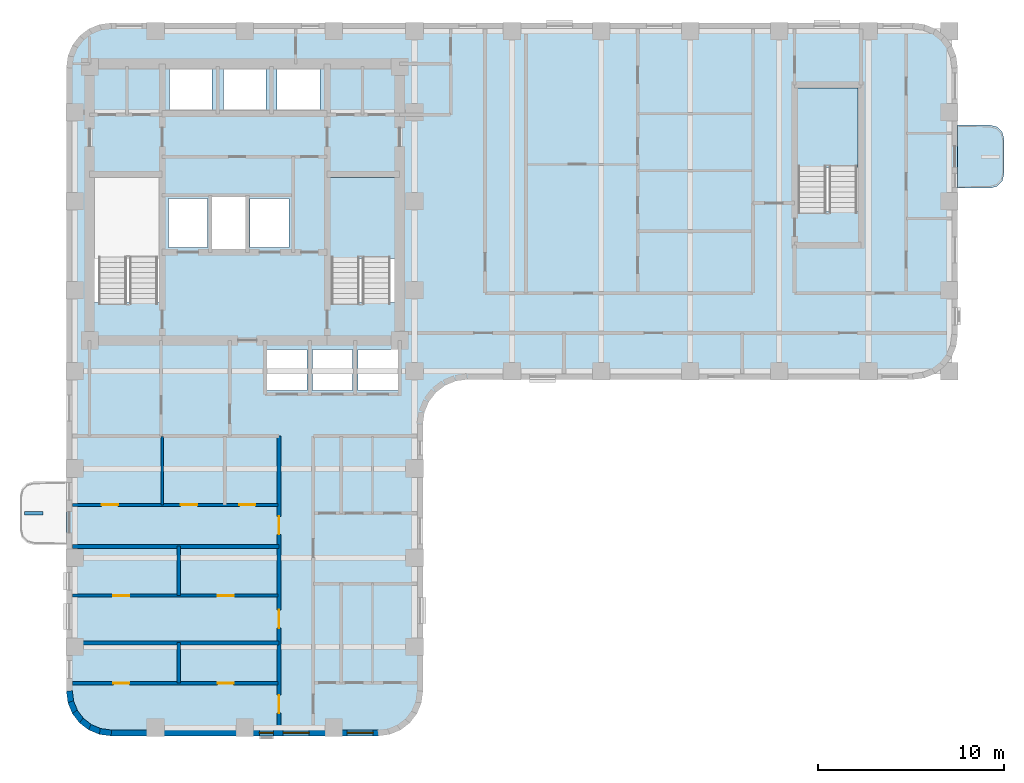
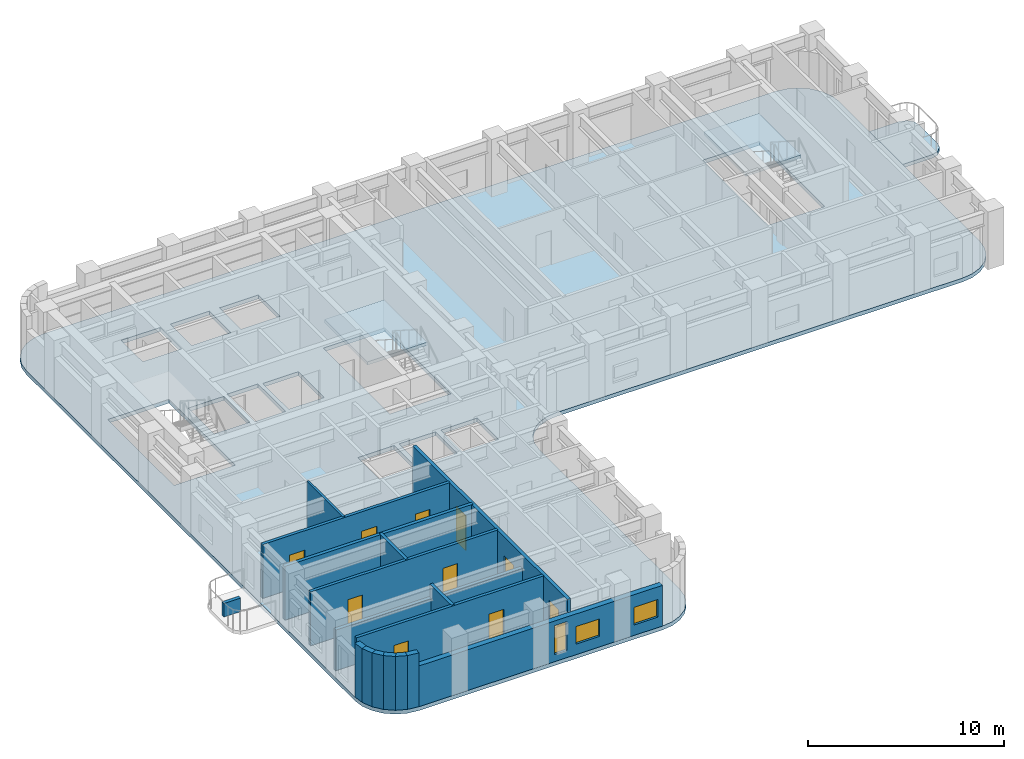
# One storey, part 2 of 10: 17 walls, 10 doors, 4 slabs, 3 windows, 13 openings, 2 elements without a shape of their own.
"""IFC4 building model written with IfcOpenShell, lengths in metres."""

from ifc_helpers import new_model, si_unit, direction, frame, frame_2d, origin, place, context, subcontext, project, spatial, polyline, rectangle, outline, extrude, material, layer, layer_set, type_object, element, fill, aggregate, save


model = new_model("IFC4")

# Units and contexts
model_context = context("Model", 3, precision=1e-05, world=origin(), true_north=direction((0.0, 1.0)))
body_context = subcontext(model_context, "Body", "Model", "MODEL_VIEW")
ifc_project = project(units=[si_unit("LENGTHUNIT", "METRE"), si_unit("AREAUNIT", "SQUARE_METRE"), si_unit("VOLUMEUNIT", "CUBIC_METRE"), si_unit("PLANEANGLEUNIT", "RADIAN"), si_unit("MASSUNIT", "GRAM", prefix="KILO")], contexts=[model_context])

# Site, building, storey
site_placement = place(None, origin())
site = spatial("IfcSite", under=ifc_project, at=site_placement, CompositionType="ELEMENT")
building_placement = place(site_placement, origin())
building = spatial("IfcBuilding", under=site, at=building_placement, Name="Orvandelia Arch Residences", CompositionType="ELEMENT")
storey_placement = place(building_placement, frame((0.0, 0.0, 136.0)))
storey = spatial("IfcBuildingStorey", under=building, at=storey_placement, Name="L35", CompositionType="ELEMENT", Elevation=136.0)

# Slab
ifc_material_1 = material(Name="Precast concrete C40/50", Category="concrete")
ifc_layer_1 = layer(ifc_material_1, 0.219970703125, Name="Precast concrete C40/50", Category="concrete")
ifc_layer_set_1 = layer_set([ifc_layer_1], Name="Precast concrete C40/50")
slab_type_1 = type_object("IfcSlabType", Name="SLB-BAL-220", PredefinedType="USERDEFINED", material=ifc_layer_set_1)
slab_1_placement = place(storey_placement, frame((0.0, 0.0, -0.219970703125)))
element("IfcSlab", 1, at=slab_1_placement, inside=storey, type_object=slab_type_1, Name="Tree Balcony Cantilever Slab BAL-L35-E1", ObjectType="BALCONY", PredefinedType="USERDEFINED", context=body_context, shape_type="SweptSolid", body=[
    extrude(outline(polyline([(52.800048828125, 42.5), (52.800048828125, 39.10009765625), (54.550048828125, 39.10009765625), (54.925048828125, 39.200439453125), (55.199462890625, 39.47509765625), (55.300048828125, 39.85009765625), (55.300048828125, 41.75), (55.199462890625, 42.125), (54.925048828125, 42.3994140625), (54.550048828125, 42.5), (52.800048828125, 42.5)])), origin(), (0.0, 0.0, 1.0), 0.219970703125),
])

# Stair, slab
ifc_material_2 = material(Name="Concrete C40/50", Category="concrete")
stair_type = type_object("IfcStairType", Name="STAIR-RC-DOGLEG", PredefinedType="HALF_TURN_STAIR", material=ifc_material_2)
stair_1_placement = place(storey_placement, origin())
stair_1 = element("IfcStair", 2, at=stair_1_placement, inside=storey, type_object=stair_type, Name="L35 Protected Exit Stair ST-2", PredefinedType="HALF_TURN_STAIR")
ifc_layer_2 = layer(ifc_material_2, 0.219970703125, Name="Concrete C40/50", Category="concrete")
ifc_layer_set_2 = layer_set([ifc_layer_2], Name="Concrete C40/50")
slab_type_2 = type_object("IfcSlabType", Name="SLB-LANDING-220", PredefinedType="LANDING", material=ifc_layer_set_2)
slab_2_placement = place(storey_placement, frame((0.0, 0.0, 1.60009765625)))
slab_2 = element("IfcSlab", 3, at=slab_2_placement, type_object=slab_type_2, Name="ST-2 landing 1", PredefinedType="LANDING", context=body_context, shape_type="SweptSolid", body=[
    extrude(outline(polyline([(22.5400390625, 35.31005859375), (22.5400390625, 39.68994140625), (19.0, 39.68994140625), (19.0, 35.31005859375), (22.5400390625, 35.31005859375)])), origin(), (0.0, 0.0, 1.0), 0.199951171875),
])
aggregate(stair_1, [slab_2])

stair_2_placement = place(storey_placement, origin())
stair_2 = element("IfcStair", 4, at=stair_2_placement, inside=storey, type_object=stair_type, Name="L35 East Wing Exit Stair ST-3", PredefinedType="HALF_TURN_STAIR")
slab_3_placement = place(storey_placement, frame((0.0, 0.0, 1.60009765625)))
slab_3 = element("IfcSlab", 5, at=slab_3_placement, type_object=slab_type_2, Name="ST-3 landing 1", PredefinedType="LANDING", context=body_context, shape_type="SweptSolid", body=[
    extrude(outline(polyline([(47.43994140625, 40.2099609375), (47.43994140625, 44.5), (44.179931640625, 44.5), (44.179931640625, 40.2099609375), (47.43994140625, 40.2099609375)])), origin(), (0.0, 0.0, 1.0), 0.199951171875),
])
aggregate(stair_2, [slab_3])

# Slab
ifc_layer_3 = layer(ifc_material_2, 0.239990234375, Name="Concrete C40/50", Category="concrete")
ifc_layer_set_3 = layer_set([ifc_layer_3], Name="Concrete C40/50")
slab_type_3 = type_object("IfcSlabType", Name="SLB-TWR-240", PredefinedType="FLOOR", material=ifc_layer_set_3)
slab_4_placement = place(storey_placement, frame((0.0, 0.0, -0.239990234375)))
element("IfcSlab", 6, at=slab_4_placement, inside=storey, type_object=slab_type_3, Name="Structural Floor Slab L35-1", PredefinedType="FLOOR", context=body_context, shape_type="SweptSolid", body=[
    extrude(outline(polyline([(4.800048828125, 12.0), (4.8818359375, 11.37890625), (5.12158203125, 10.800048828125), (5.5029296875, 10.302978515625), (6.0, 9.92138671875), (6.578857421875, 9.681884765625), (7.199951171875, 9.60009765625), (21.60009765625, 9.60009765625), (22.22119140625, 9.681884765625), (22.800048828125, 9.92138671875), (23.297119140625, 10.302978515625), (23.678466796875, 10.800048828125), (23.918212890625, 11.37890625), (24.0, 12.0), (24.0, 26.39990234375), (24.081787109375, 27.021240234375), (24.321533203125, 27.60009765625), (24.702880859375, 28.09716796875), (25.199951171875, 28.478515625), (25.77880859375, 28.71826171875), (26.39990234375, 28.800048828125), (50.39990234375, 28.800048828125), (51.021240234375, 28.8818359375), (51.60009765625, 29.12158203125), (52.09716796875, 29.5029296875), (52.478515625, 30.0), (52.71826171875, 30.578857421875), (52.800048828125, 31.199951171875), (52.800048828125, 45.60009765625), (52.71826171875, 46.22119140625), (52.478515625, 46.800048828125), (52.09716796875, 47.297119140625), (51.60009765625, 47.678466796875), (51.021240234375, 47.918212890625), (50.39990234375, 48.0), (7.199951171875, 48.0), (6.578857421875, 47.918212890625), (6.0, 47.678466796875), (5.5029296875, 47.297119140625), (5.12158203125, 46.800048828125), (4.8818359375, 46.22119140625), (4.800048828125, 45.60009765625), (4.800048828125, 12.0)]), holes=[polyline([(6.219970703125, 32.949951171875), (9.840087890625, 32.949951171875), (9.840087890625, 39.72998046875), (6.219970703125, 39.72998046875), (6.219970703125, 32.949951171875)]), polyline([(18.9599609375, 32.949951171875), (22.580078125, 32.949951171875), (22.580078125, 39.72998046875), (18.9599609375, 39.72998046875), (18.9599609375, 32.949951171875)]), polyline([(44.139892578125, 37.85009765625), (47.47998046875, 37.85009765625), (47.47998046875, 44.5400390625), (44.139892578125, 44.5400390625), (44.139892578125, 37.85009765625)]), polyline([(12.639892578125, 35.81005859375), (14.4599609375, 35.81005859375), (14.4599609375, 38.639892578125), (12.639892578125, 38.639892578125), (12.639892578125, 35.81005859375)]), polyline([(10.300048828125, 35.89990234375), (12.39990234375, 35.89990234375), (12.39990234375, 38.550048828125), (10.300048828125, 38.550048828125), (10.300048828125, 35.89990234375)]), polyline([(14.699951171875, 35.89990234375), (16.800048828125, 35.89990234375), (16.800048828125, 38.550048828125), (14.699951171875, 38.550048828125), (14.699951171875, 35.89990234375)]), polyline([(10.35009765625, 43.300048828125), (12.64990234375, 43.300048828125), (12.64990234375, 45.5), (10.35009765625, 45.5), (10.35009765625, 43.300048828125)]), polyline([(13.25, 43.300048828125), (15.550048828125, 43.300048828125), (15.550048828125, 45.5), (13.25, 45.5), (13.25, 43.300048828125)]), polyline([(16.14990234375, 43.300048828125), (18.449951171875, 43.300048828125), (18.449951171875, 45.5), (16.14990234375, 45.5), (16.14990234375, 43.300048828125)]), polyline([(15.60009765625, 28.199951171875), (17.75, 28.199951171875), (17.75, 30.39990234375), (15.60009765625, 30.39990234375), (15.60009765625, 28.199951171875)]), polyline([(18.050048828125, 28.199951171875), (20.199951171875, 28.199951171875), (20.199951171875, 30.39990234375), (18.050048828125, 30.39990234375), (18.050048828125, 28.199951171875)]), polyline([(20.5, 28.199951171875), (22.64990234375, 28.199951171875), (22.64990234375, 30.39990234375), (20.5, 30.39990234375), (20.5, 28.199951171875)])]), origin(), (0.0, 0.0, 1.0), 0.239990234375),
])

# Wall, openings, doors
ifc_material_3 = material(Name="Fire-Rated Corridor Partition")
ifc_layer_4 = layer(ifc_material_3, 0.199951171875, Name="Fire-Rated Corridor Partition")
ifc_layer_set_4 = layer_set([ifc_layer_4], Name="Fire-Rated Corridor Partition")
wall_type_1 = type_object("IfcWallType", Name="WL-CORR-200", PredefinedType="PARTITIONING", material=ifc_layer_set_4)
wall_1_placement = place(storey_placement, frame((16.25, 9.919921875, 0.0), z_axis=(0.0, 0.0, 1.0), x_axis=(0.0, 1.0, 0.0)))
wall_1 = element("IfcWall", 7, at=wall_1_placement, inside=storey, type_object=wall_type_1, Name="Interior Partition Wall WL-L35-WC-W", PredefinedType="PARTITIONING", context=body_context, shape_type="SweptSolid", body=[
    extrude(rectangle(XDim=15.830078125, YDim=0.199951171875, at=frame_2d((7.9150390625, 0.0))), origin(), (0.0, 0.0, 1.0), 3.360107421875),
])
opening_1_placement = place(wall_1_placement, frame((0.902099609375, 0.0, 0.0)))
opening_1 = element("IfcOpeningElement", 8, at=opening_1_placement, cuts=wall_1, Name="Opening D1", PredefinedType="OPENING", context=body_context, shape_type="SweptSolid", body=[
    extrude(rectangle(XDim=0.97998046875, YDim=2.179931640625, at=frame_2d((0.489990234375, 1.08984375))), frame((0.0, 0.10986328125, 0.0), z_axis=(0.0, -1.0, 0.0), x_axis=(1.0, 0.0, 0.0)), (0.0, 0.0, 1.0), 0.219970703125),
])
opening_2_placement = place(wall_1_placement, frame((5.489990234375, 0.0, 0.0)))
opening_2 = element("IfcOpeningElement", 9, at=opening_2_placement, cuts=wall_1, Name="Opening D1", PredefinedType="OPENING", context=body_context, shape_type="SweptSolid", body=[
    extrude(rectangle(XDim=0.97998046875, YDim=2.179931640625, at=frame_2d((0.489990234375, 1.08984375))), frame((0.0, 0.10986328125, 0.0), z_axis=(0.0, -1.0, 0.0), x_axis=(1.0, 0.0, 0.0)), (0.0, 0.0, 1.0), 0.219970703125),
])
opening_3_placement = place(wall_1_placement, frame((10.530029296875, 0.0, 0.0)))
opening_3 = element("IfcOpeningElement", 10, at=opening_3_placement, cuts=wall_1, Name="Opening D1", PredefinedType="OPENING", context=body_context, shape_type="SweptSolid", body=[
    extrude(rectangle(XDim=0.97998046875, YDim=2.179931640625, at=frame_2d((0.489990234375, 1.08984375))), frame((0.0, 0.10986328125, 0.0), z_axis=(0.0, -1.0, 0.0), x_axis=(1.0, 0.0, 0.0)), (0.0, 0.0, 1.0), 0.219970703125),
])
ifc_material_4 = material(Name="Solid-Core Timber Acoustic Fire Door", Category="wood")
door_type_1 = type_object("IfcDoorType", Name="DR-ENT-980", OperationType="NOTDEFINED", PredefinedType="DOOR", material=ifc_material_4)
door_1_placement = place(opening_1_placement, origin())
door_1 = element("IfcDoor", 11, at=door_1_placement, inside=storey, type_object=door_type_1, Name="Unit L35-01 Entrance Door", OperationType="SINGLE_SWING_LEFT", OverallHeight=2.179931640625, OverallWidth=0.97998046875, PredefinedType="DOOR", context=body_context, shape_type="SweptSolid", body=[
    extrude(rectangle(XDim=0.97998046875, YDim=2.179931640625, at=frame_2d((0.489990234375, 1.08984375))), frame((0.0, 0.02490234375, 0.0), z_axis=(0.0, -1.0, 0.0), x_axis=(1.0, 0.0, 0.0)), (0.0, 0.0, 1.0), 0.050048828125),
])
fill(opening_1, door_1)
door_2_placement = place(opening_2_placement, origin())
door_2 = element("IfcDoor", 12, at=door_2_placement, inside=storey, type_object=door_type_1, Name="Unit L35-02 Entrance Door", OperationType="SINGLE_SWING_RIGHT", OverallHeight=2.179931640625, OverallWidth=0.97998046875, PredefinedType="DOOR", context=body_context, shape_type="SweptSolid", body=[
    extrude(rectangle(XDim=0.97998046875, YDim=2.179931640625, at=frame_2d((0.489990234375, 1.08984375))), frame((0.0, 0.02490234375, 0.0), z_axis=(0.0, -1.0, 0.0), x_axis=(1.0, 0.0, 0.0)), (0.0, 0.0, 1.0), 0.050048828125),
])
fill(opening_2, door_2)
door_3_placement = place(opening_3_placement, origin())
door_3 = element("IfcDoor", 13, at=door_3_placement, inside=storey, type_object=door_type_1, Name="Unit L35-03 Entrance Door", OperationType="SINGLE_SWING_LEFT", OverallHeight=2.179931640625, OverallWidth=0.97998046875, PredefinedType="DOOR", context=body_context, shape_type="SweptSolid", body=[
    extrude(rectangle(XDim=0.97998046875, YDim=2.179931640625, at=frame_2d((0.489990234375, 1.08984375))), frame((0.0, 0.02490234375, 0.0), z_axis=(0.0, -1.0, 0.0), x_axis=(1.0, 0.0, 0.0)), (0.0, 0.0, 1.0), 0.050048828125),
])
fill(opening_3, door_3)

# Walls
ifc_layer_5 = layer(ifc_material_2, 0.199951171875, Name="Concrete C40/50", Category="concrete")
ifc_layer_set_5 = layer_set([ifc_layer_5], Name="Concrete C40/50")
wall_type_2 = type_object("IfcWallType", Name="WL-DEM-200", PredefinedType="SOLIDWALL", material=ifc_layer_set_5)
wall_2_placement = place(storey_placement, frame((5.1201171875, 14.60009765625, 0.0), z_axis=(0.0, 0.0, 1.0), x_axis=(1.0, 0.0, 0.0)))
element("IfcWall", 14, at=wall_2_placement, inside=storey, type_object=wall_type_2, Name="Interior Partition Wall WL-L35-DEM-WL-146", PredefinedType="SOLIDWALL", context=body_context, shape_type="SweptSolid", body=[
    extrude(rectangle(XDim=11.1298828125, YDim=0.199951171875, at=frame_2d((5.56494140625, 0.0))), origin(), (0.0, 0.0, 1.0), 2.5400390625),
])
wall_3_placement = place(storey_placement, frame((5.1201171875, 19.800048828125, 0.0), z_axis=(0.0, 0.0, 1.0), x_axis=(1.0, 0.0, 0.0)))
element("IfcWall", 15, at=wall_3_placement, inside=storey, type_object=wall_type_2, Name="Interior Partition Wall WL-L35-DEM-WL-198", PredefinedType="SOLIDWALL", context=body_context, shape_type="SweptSolid", body=[
    extrude(rectangle(XDim=11.1298828125, YDim=0.199951171875, at=frame_2d((5.56494140625, 0.0))), origin(), (0.0, 0.0, 1.0), 3.360107421875),
])

# Wall, openings, windows
ifc_layer_6 = layer(ifc_material_1, 0.320068359375, Name="Precast concrete C40/50", Category="concrete")
ifc_layer_set_6 = layer_set([ifc_layer_6], Name="Precast concrete C40/50")
wall_type_3 = type_object("IfcWallType", Name="WL-EXT-STONE-320", PredefinedType="STANDARD", material=ifc_layer_set_6)
wall_4_placement = place(storey_placement, frame((21.60009765625, 9.760009765625, 0.0), z_axis=(0.0, 0.0, 1.0), x_axis=(-1.0, 0.0, 0.0)))
wall_4 = element("IfcWall", 16, at=wall_4_placement, inside=storey, type_object=wall_type_3, Name="Coral-Limestone Precast Facade Wall L35-035", PredefinedType="STANDARD", context=body_context, shape_type="SweptSolid", body=[
    extrude(rectangle(XDim=14.400146484375, YDim=0.320068359375, at=frame_2d((7.2001953125, 0.0))), origin(), (0.0, 0.0, 1.0), 2.5400390625),
])
opening_4_placement = place(wall_4_placement, frame((5.652587890625, 0.0, 0.449951171875)))
opening_4 = element("IfcOpeningElement", 17, at=opening_4_placement, cuts=wall_4, Name="Opening W11", PredefinedType="OPENING", context=body_context, shape_type="SweptSolid", body=[
    extrude(rectangle(XDim=0.75, YDim=1.800048828125, at=frame_2d((0.375, 0.89990234375))), frame((0.0, 0.169921875, 0.0), z_axis=(0.0, -1.0, 0.0), x_axis=(1.0, 0.0, 0.0)), (0.0, 0.0, 1.0), 0.340087890625),
])
opening_5_placement = place(wall_4_placement, frame((3.72509765625, 0.0, 0.64990234375)))
opening_5 = element("IfcOpeningElement", 18, at=opening_5_placement, cuts=wall_4, Name="Opening W10", PredefinedType="OPENING", context=body_context, shape_type="SweptSolid", body=[
    extrude(rectangle(XDim=1.39990234375, YDim=1.10009765625, at=frame_2d((0.699951171875, 0.550048828125))), frame((0.0, 0.169921875, 0.0), z_axis=(0.0, -1.0, 0.0), x_axis=(1.0, 0.0, 0.0)), (0.0, 0.0, 1.0), 0.340087890625),
])
opening_6_placement = place(wall_4_placement, frame((0.282470703125, 0.0, 0.64990234375)))
opening_6 = element("IfcOpeningElement", 19, at=opening_6_placement, cuts=wall_4, Name="Opening W10", PredefinedType="OPENING", context=body_context, shape_type="SweptSolid", body=[
    extrude(rectangle(XDim=1.39990234375, YDim=1.10009765625, at=frame_2d((0.699951171875, 0.550048828125))), frame((0.0, 0.169921875, 0.0), z_axis=(0.0, -1.0, 0.0), x_axis=(1.0, 0.0, 0.0)), (0.0, 0.0, 1.0), 0.340087890625),
])
ifc_material_5 = material(Name="Tempered Low-E Insulated Glazing", Category="glass")
window_type_1 = type_object("IfcWindowType", Name="WIN-BED-0750x1800", PartitioningType="SINGLE_PANEL", PredefinedType="WINDOW", material=ifc_material_5)
window_1_placement = place(opening_4_placement, origin())
window_1 = element("IfcWindow", 20, at=window_1_placement, inside=storey, type_object=window_type_1, Name="Recessed Punched Window L35-018", OverallHeight=1.800048828125, OverallWidth=0.75, PartitioningType="SINGLE_PANEL", PredefinedType="WINDOW", context=body_context, shape_type="SweptSolid", body=[
    extrude(rectangle(XDim=0.75, YDim=1.800048828125, at=frame_2d((0.375, 0.89990234375))), frame((0.0, 0.030029296875, 0.0), z_axis=(0.0, -1.0, 0.0), x_axis=(1.0, 0.0, 0.0)), (0.0, 0.0, 1.0), 0.06005859375),
])
fill(opening_4, window_1)
window_type_2 = type_object("IfcWindowType", Name="WIN-CLR-1400x1100", PartitioningType="SINGLE_PANEL", PredefinedType="WINDOW", material=ifc_material_5)
window_2_placement = place(opening_5_placement, origin())
window_2 = element("IfcWindow", 21, at=window_2_placement, inside=storey, type_object=window_type_2, Name="Recessed Punched Window L35-019", OverallHeight=1.10009765625, OverallWidth=1.39990234375, PartitioningType="SINGLE_PANEL", PredefinedType="WINDOW", context=body_context, shape_type="SweptSolid", body=[
    extrude(rectangle(XDim=1.39990234375, YDim=1.10009765625, at=frame_2d((0.699951171875, 0.550048828125))), frame((0.0, 0.030029296875, 0.0), z_axis=(0.0, -1.0, 0.0), x_axis=(1.0, 0.0, 0.0)), (0.0, 0.0, 1.0), 0.06005859375),
])
fill(opening_5, window_2)
window_3_placement = place(opening_6_placement, origin())
window_3 = element("IfcWindow", 22, at=window_3_placement, inside=storey, type_object=window_type_2, Name="Recessed Punched Window L35-020", OverallHeight=1.10009765625, OverallWidth=1.39990234375, PartitioningType="SINGLE_PANEL", PredefinedType="WINDOW", context=body_context, shape_type="SweptSolid", body=[
    extrude(rectangle(XDim=1.39990234375, YDim=1.10009765625, at=frame_2d((0.699951171875, 0.550048828125))), frame((0.0, 0.030029296875, 0.0), z_axis=(0.0, -1.0, 0.0), x_axis=(1.0, 0.0, 0.0)), (0.0, 0.0, 1.0), 0.06005859375),
])
fill(opening_6, window_3)

# Walls
wall_5_placement = place(storey_placement, frame((7.220947265625, 9.758544921875, 0.0), z_axis=(0.0, 0.0, 1.0), x_axis=(-0.991447664465, 0.130504898859, 0.0)))
element("IfcWall", 23, at=wall_5_placement, inside=storey, type_object=wall_type_3, Name="Coral-Limestone Precast Facade Wall L35-036", PredefinedType="STANDARD", context=body_context, shape_type="SweptSolid", body=[
    extrude(rectangle(XDim=0.626708984375, YDim=0.320068359375, at=frame_2d((0.3134765625, 0.0))), origin(), (0.0, 0.0, 1.0), 3.360107421875),
])
wall_6_placement = place(storey_placement, frame((6.639892578125, 9.82958984375, 0.0), z_axis=(0.0, 0.0, 1.0), x_axis=(-0.923836271867, 0.382787856107, 0.0)))
element("IfcWall", 24, at=wall_6_placement, inside=storey, type_object=wall_type_3, Name="Coral-Limestone Precast Facade Wall L35-037", PredefinedType="STANDARD", context=body_context, shape_type="SweptSolid", body=[
    extrude(rectangle(XDim=0.626220703125, YDim=0.320068359375, at=frame_2d((0.31298828125, 0.0))), origin(), (0.0, 0.0, 1.0), 3.360107421875),
])
wall_7_placement = place(storey_placement, frame((6.097412109375, 10.04833984375, 0.0), z_axis=(0.0, 0.0, 1.0), x_axis=(-0.793405610854, 0.608693302629, 0.0)))
element("IfcWall", 25, at=wall_7_placement, inside=storey, type_object=wall_type_3, Name="Coral-Limestone Precast Facade Wall L35-038", PredefinedType="STANDARD", context=body_context, shape_type="SweptSolid", body=[
    extrude(rectangle(XDim=0.62646484375, YDim=0.320068359375, at=frame_2d((0.313232421875, 0.0))), origin(), (0.0, 0.0, 1.0), 3.360107421875),
])
wall_8_placement = place(storey_placement, frame((5.6298828125, 10.400390625, 0.0), z_axis=(0.0, 0.0, 1.0), x_axis=(-0.608938521285, 0.7932174212, 0.0)))
element("IfcWall", 26, at=wall_8_placement, inside=storey, type_object=wall_type_3, Name="Coral-Limestone Precast Facade Wall L35-039", PredefinedType="STANDARD", context=body_context, shape_type="SweptSolid", body=[
    extrude(rectangle(XDim=0.626708984375, YDim=0.320068359375, at=frame_2d((0.3134765625, 0.0))), origin(), (0.0, 0.0, 1.0), 3.360107421875),
])
wall_9_placement = place(storey_placement, frame((5.269287109375, 10.861083984375, 0.0), z_axis=(0.0, 0.0, 1.0), x_axis=(-0.382650053678, 0.92389335771, 0.0)))
element("IfcWall", 27, at=wall_9_placement, inside=storey, type_object=wall_type_3, Name="Coral-Limestone Precast Facade Wall L35-040", PredefinedType="STANDARD", context=body_context, shape_type="SweptSolid", body=[
    extrude(rectangle(XDim=0.62646484375, YDim=0.320068359375, at=frame_2d((0.313232421875, 0.0))), origin(), (0.0, 0.0, 1.0), 3.360107421875),
])
wall_10_placement = place(storey_placement, frame((5.040283203125, 11.399658203125, 0.0), z_axis=(0.0, 0.0, 1.0), x_axis=(-0.130504898859, 0.991447664465, 0.0)))
element("IfcWall", 28, at=wall_10_placement, inside=storey, type_object=wall_type_3, Name="Coral-Limestone Precast Facade Wall L35-041", PredefinedType="STANDARD", context=body_context, shape_type="SweptSolid", body=[
    extrude(rectangle(XDim=0.626708984375, YDim=0.320068359375, at=frame_2d((0.3134765625, 0.0))), origin(), (0.0, 0.0, 1.0), 3.360107421875),
])
ifc_material_6 = material(Name="Lightweight Gypsum Stud Partition")
ifc_layer_7 = layer(ifc_material_6, 0.1201171875, Name="Lightweight Gypsum Stud Partition")
ifc_layer_set_7 = layer_set([ifc_layer_7], Name="Lightweight Gypsum Stud Partition")
wall_type_4 = type_object("IfcWallType", Name="WL-PART-120", PredefinedType="PARTITIONING", material=ifc_layer_set_7)
wall_11_placement = place(storey_placement, frame((9.95703125, 22.0400390625, 0.0), z_axis=(0.0, 0.0, 1.0), x_axis=(0.0, 1.0, 0.0)))
element("IfcWall", 29, at=wall_11_placement, inside=storey, type_object=wall_type_4, Name="Interior Partition Wall WL-L35-U03-V1", PredefinedType="PARTITIONING", context=body_context, shape_type="SweptSolid", body=[
    extrude(rectangle(XDim=3.679931640625, YDim=0.1201171875, at=frame_2d((1.83984375, 0.0))), origin(), (0.0, 0.0, 1.0), 3.360107421875),
])
ifc_layer_8 = layer(ifc_material_1, 0.199951171875, Name="Precast concrete C40/50", Category="concrete")
ifc_layer_set_8 = layer_set([ifc_layer_8], Name="Precast concrete C40/50")
wall_type_5 = type_object("IfcWallType", Name="WL-PLANTER-200", PredefinedType="MOVABLE", material=ifc_layer_set_8)
wall_12_placement = place(storey_placement, frame((2.550048828125, 21.60009765625, 0.0), z_axis=(0.0, 0.0, 1.0), x_axis=(1.0, 0.0, 0.0)))
element("IfcWall", 30, at=wall_12_placement, inside=storey, type_object=wall_type_5, Name="Balcony Precast Tree Planter BAL-L35-W1", PredefinedType="MOVABLE", context=body_context, shape_type="SweptSolid", body=[
    extrude(rectangle(XDim=1.0, YDim=0.199951171875, at=frame_2d((0.5, 0.0))), origin(), (0.0, 0.0, 1.0), 0.85009765625),
])

# Wall, openings, doors
ifc_material_7 = material(Name="Moisture-Resistant Plumbing Wall")
ifc_layer_9 = layer(ifc_material_7, 0.179931640625, Name="Moisture-Resistant Plumbing Wall")
ifc_layer_set_9 = layer_set([ifc_layer_9], Name="Moisture-Resistant Plumbing Wall")
wall_type_6 = type_object("IfcWallType", Name="WL-WET-180", PredefinedType="PLUMBINGWALL", material=ifc_layer_set_9)
wall_13_placement = place(storey_placement, frame((5.1201171875, 12.444091796875, 0.0), z_axis=(0.0, 0.0, 1.0), x_axis=(1.0, 0.0, 0.0)))
wall_13 = element("IfcWall", 31, at=wall_13_placement, inside=storey, type_object=wall_type_6, Name="Interior Partition Wall WL-L35-U01-HZ", PredefinedType="PLUMBINGWALL", context=body_context, shape_type="SweptSolid", body=[
    extrude(rectangle(XDim=11.06982421875, YDim=0.179931640625, at=frame_2d((5.534912109375, 0.0))), origin(), (0.0, 0.0, 1.0), 3.360107421875),
])
opening_7_placement = place(wall_13_placement, frame((2.208984375, 0.0, 0.0)))
opening_7 = element("IfcOpeningElement", 32, at=opening_7_placement, cuts=wall_13, Name="Opening D4", PredefinedType="OPENING", context=body_context, shape_type="SweptSolid", body=[
    extrude(rectangle(XDim=0.860107421875, YDim=2.10009765625, at=frame_2d((0.43017578125, 1.050048828125))), frame((0.0, 0.10009765625, 0.0), z_axis=(0.0, -1.0, 0.0), x_axis=(1.0, 0.0, 0.0)), (0.0, 0.0, 1.0), 0.199951171875),
])
opening_8_placement = place(wall_13_placement, frame((7.823974609375, 0.0, 0.0)))
opening_8 = element("IfcOpeningElement", 33, at=opening_8_placement, cuts=wall_13, Name="Opening D4", PredefinedType="OPENING", context=body_context, shape_type="SweptSolid", body=[
    extrude(rectangle(XDim=0.860107421875, YDim=2.10009765625, at=frame_2d((0.43017578125, 1.050048828125))), frame((0.0, 0.10009765625, 0.0), z_axis=(0.0, -1.0, 0.0), x_axis=(1.0, 0.0, 0.0)), (0.0, 0.0, 1.0), 0.199951171875),
])
ifc_material_8 = material(Name="Moisture-Sealed Timber Bathroom Door", Category="wood")
door_type_2 = type_object("IfcDoorType", Name="DR-WET-900", OperationType="NOTDEFINED", PredefinedType="DOOR", material=ifc_material_8)
door_4_placement = place(opening_7_placement, origin())
door_4 = element("IfcDoor", 34, at=door_4_placement, inside=storey, type_object=door_type_2, Name="DR-L35-U01-KIT", OperationType="SINGLE_SWING_LEFT", OverallHeight=2.10009765625, OverallWidth=0.860107421875, PredefinedType="DOOR", context=body_context, shape_type="SweptSolid", body=[
    extrude(rectangle(XDim=0.860107421875, YDim=2.10009765625, at=frame_2d((0.43017578125, 1.050048828125))), frame((0.0, 0.02490234375, 0.0), z_axis=(0.0, -1.0, 0.0), x_axis=(1.0, 0.0, 0.0)), (0.0, 0.0, 1.0), 0.050048828125),
])
fill(opening_7, door_4)
door_5_placement = place(opening_8_placement, origin())
door_5 = element("IfcDoor", 35, at=door_5_placement, inside=storey, type_object=door_type_2, Name="DR-L35-U01-BTH", OperationType="SINGLE_SWING_RIGHT", OverallHeight=2.10009765625, OverallWidth=0.860107421875, PredefinedType="DOOR", context=body_context, shape_type="SweptSolid", body=[
    extrude(rectangle(XDim=0.860107421875, YDim=2.10009765625, at=frame_2d((0.43017578125, 1.050048828125))), frame((0.0, 0.02490234375, 0.0), z_axis=(0.0, -1.0, 0.0), x_axis=(1.0, 0.0, 0.0)), (0.0, 0.0, 1.0), 0.050048828125),
])
fill(opening_8, door_5)

# Wall
wall_14_placement = place(storey_placement, frame((10.847900390625, 12.444091796875, 0.0), z_axis=(0.0, 0.0, 1.0), x_axis=(0.0, 1.0, 0.0)))
element("IfcWall", 36, at=wall_14_placement, inside=storey, type_object=wall_type_6, Name="Interior Partition Wall WL-L35-U01-V1", PredefinedType="PLUMBINGWALL", context=body_context, shape_type="SweptSolid", body=[
    extrude(rectangle(XDim=2.19580078125, YDim=0.179931640625, at=frame_2d((1.097900390625, 0.0))), origin(), (0.0, 0.0, 1.0), 3.360107421875),
])

# Wall, openings, doors
wall_15_placement = place(storey_placement, frame((5.1201171875, 17.159912109375, 0.0), z_axis=(0.0, 0.0, 1.0), x_axis=(1.0, 0.0, 0.0)))
wall_15 = element("IfcWall", 37, at=wall_15_placement, inside=storey, type_object=wall_type_6, Name="Interior Partition Wall WL-L35-U02-HZ", PredefinedType="PLUMBINGWALL", context=body_context, shape_type="SweptSolid", body=[
    extrude(rectangle(XDim=11.06982421875, YDim=0.179931640625, at=frame_2d((5.534912109375, 0.0))), origin(), (0.0, 0.0, 1.0), 3.360107421875),
])
opening_9_placement = place(wall_15_placement, frame((2.208984375, 0.0, 0.0)))
opening_9 = element("IfcOpeningElement", 38, at=opening_9_placement, cuts=wall_15, Name="Opening D4", PredefinedType="OPENING", context=body_context, shape_type="SweptSolid", body=[
    extrude(rectangle(XDim=0.860107421875, YDim=2.10009765625, at=frame_2d((0.43017578125, 1.050048828125))), frame((0.0, 0.10009765625, 0.0), z_axis=(0.0, -1.0, 0.0), x_axis=(1.0, 0.0, 0.0)), (0.0, 0.0, 1.0), 0.199951171875),
])
opening_10_placement = place(wall_15_placement, frame((7.823974609375, 0.0, 0.0)))
opening_10 = element("IfcOpeningElement", 39, at=opening_10_placement, cuts=wall_15, Name="Opening D4", PredefinedType="OPENING", context=body_context, shape_type="SweptSolid", body=[
    extrude(rectangle(XDim=0.860107421875, YDim=2.10009765625, at=frame_2d((0.43017578125, 1.050048828125))), frame((0.0, 0.10009765625, 0.0), z_axis=(0.0, -1.0, 0.0), x_axis=(1.0, 0.0, 0.0)), (0.0, 0.0, 1.0), 0.199951171875),
])
door_6_placement = place(opening_9_placement, origin())
door_6 = element("IfcDoor", 40, at=door_6_placement, inside=storey, type_object=door_type_2, Name="DR-L35-U02-KIT", OperationType="SINGLE_SWING_RIGHT", OverallHeight=2.10009765625, OverallWidth=0.860107421875, PredefinedType="DOOR", context=body_context, shape_type="SweptSolid", body=[
    extrude(rectangle(XDim=0.860107421875, YDim=2.10009765625, at=frame_2d((0.43017578125, 1.050048828125))), frame((0.0, 0.02490234375, 0.0), z_axis=(0.0, -1.0, 0.0), x_axis=(1.0, 0.0, 0.0)), (0.0, 0.0, 1.0), 0.050048828125),
])
fill(opening_9, door_6)
door_7_placement = place(opening_10_placement, origin())
door_7 = element("IfcDoor", 41, at=door_7_placement, inside=storey, type_object=door_type_2, Name="DR-L35-U02-BTH", OperationType="SINGLE_SWING_LEFT", OverallHeight=2.10009765625, OverallWidth=0.860107421875, PredefinedType="DOOR", context=body_context, shape_type="SweptSolid", body=[
    extrude(rectangle(XDim=0.860107421875, YDim=2.10009765625, at=frame_2d((0.43017578125, 1.050048828125))), frame((0.0, 0.02490234375, 0.0), z_axis=(0.0, -1.0, 0.0), x_axis=(1.0, 0.0, 0.0)), (0.0, 0.0, 1.0), 0.050048828125),
])
fill(opening_10, door_7)

# Wall
wall_16_placement = place(storey_placement, frame((10.847900390625, 17.159912109375, 0.0), z_axis=(0.0, 0.0, 1.0), x_axis=(0.0, 1.0, 0.0)))
element("IfcWall", 42, at=wall_16_placement, inside=storey, type_object=wall_type_6, Name="Interior Partition Wall WL-L35-U02-V1", PredefinedType="PLUMBINGWALL", context=body_context, shape_type="SweptSolid", body=[
    extrude(rectangle(XDim=2.68017578125, YDim=0.179931640625, at=frame_2d((1.340087890625, 0.0))), origin(), (0.0, 0.0, 1.0), 3.360107421875),
])

# Wall, openings, doors
wall_17_placement = place(storey_placement, frame((5.1201171875, 22.0400390625, 0.0), z_axis=(0.0, 0.0, 1.0), x_axis=(1.0, 0.0, 0.0)))
wall_17 = element("IfcWall", 43, at=wall_17_placement, inside=storey, type_object=wall_type_6, Name="Interior Partition Wall WL-L35-U03-HZ", PredefinedType="PLUMBINGWALL", context=body_context, shape_type="SweptSolid", body=[
    extrude(rectangle(XDim=11.06982421875, YDim=0.179931640625, at=frame_2d((5.534912109375, 0.0))), origin(), (0.0, 0.0, 1.0), 3.360107421875),
])
opening_11_placement = place(wall_17_placement, frame((1.5712890625, 0.0, 0.0)))
opening_11 = element("IfcOpeningElement", 44, at=opening_11_placement, cuts=wall_17, Name="Opening D3", PredefinedType="OPENING", context=body_context, shape_type="SweptSolid", body=[
    extrude(rectangle(XDim=0.89990234375, YDim=2.14990234375, at=frame_2d((0.449951171875, 1.074951171875))), frame((0.0, 0.10009765625, 0.0), z_axis=(0.0, -1.0, 0.0), x_axis=(1.0, 0.0, 0.0)), (0.0, 0.0, 1.0), 0.199951171875),
])
opening_12_placement = place(wall_17_placement, frame((5.834228515625, 0.0, 0.0)))
opening_12 = element("IfcOpeningElement", 45, at=opening_12_placement, cuts=wall_17, Name="Opening D3", PredefinedType="OPENING", context=body_context, shape_type="SweptSolid", body=[
    extrude(rectangle(XDim=0.89990234375, YDim=2.14990234375, at=frame_2d((0.449951171875, 1.074951171875))), frame((0.0, 0.10009765625, 0.0), z_axis=(0.0, -1.0, 0.0), x_axis=(1.0, 0.0, 0.0)), (0.0, 0.0, 1.0), 0.199951171875),
])
opening_13_placement = place(wall_17_placement, frame((8.998046875, 0.0, 0.0)))
opening_13 = element("IfcOpeningElement", 46, at=opening_13_placement, cuts=wall_17, Name="Opening D4", PredefinedType="OPENING", context=body_context, shape_type="SweptSolid", body=[
    extrude(rectangle(XDim=0.860107421875, YDim=2.10009765625, at=frame_2d((0.43017578125, 1.050048828125))), frame((0.0, 0.10009765625, 0.0), z_axis=(0.0, -1.0, 0.0), x_axis=(1.0, 0.0, 0.0)), (0.0, 0.0, 1.0), 0.199951171875),
])
ifc_material_9 = material(Name="Engineered Timber Flush Door", Category="wood")
door_type_3 = type_object("IfcDoorType", Name="DR-INT-900", OperationType="NOTDEFINED", PredefinedType="DOOR", material=ifc_material_9)
door_8_placement = place(opening_11_placement, origin())
door_8 = element("IfcDoor", 47, at=door_8_placement, inside=storey, type_object=door_type_3, Name="DR-L35-U03-BD1", OperationType="SINGLE_SWING_LEFT", OverallHeight=2.14990234375, OverallWidth=0.89990234375, PredefinedType="DOOR", context=body_context, shape_type="SweptSolid", body=[
    extrude(rectangle(XDim=0.89990234375, YDim=2.14990234375, at=frame_2d((0.449951171875, 1.074951171875))), frame((0.0, 0.02490234375, 0.0), z_axis=(0.0, -1.0, 0.0), x_axis=(1.0, 0.0, 0.0)), (0.0, 0.0, 1.0), 0.050048828125),
])
fill(opening_11, door_8)
door_9_placement = place(opening_12_placement, origin())
door_9 = element("IfcDoor", 48, at=door_9_placement, inside=storey, type_object=door_type_3, Name="DR-L35-U03-KIT", OperationType="SINGLE_SWING_RIGHT", OverallHeight=2.14990234375, OverallWidth=0.89990234375, PredefinedType="DOOR", context=body_context, shape_type="SweptSolid", body=[
    extrude(rectangle(XDim=0.89990234375, YDim=2.14990234375, at=frame_2d((0.449951171875, 1.074951171875))), frame((0.0, 0.02490234375, 0.0), z_axis=(0.0, -1.0, 0.0), x_axis=(1.0, 0.0, 0.0)), (0.0, 0.0, 1.0), 0.050048828125),
])
fill(opening_12, door_9)
door_10_placement = place(opening_13_placement, origin())
door_10 = element("IfcDoor", 49, at=door_10_placement, inside=storey, type_object=door_type_2, Name="DR-L35-U03-BTH", OperationType="SINGLE_SWING_LEFT", OverallHeight=2.10009765625, OverallWidth=0.860107421875, PredefinedType="DOOR", context=body_context, shape_type="SweptSolid", body=[
    extrude(rectangle(XDim=0.860107421875, YDim=2.10009765625, at=frame_2d((0.43017578125, 1.050048828125))), frame((0.0, 0.02490234375, 0.0), z_axis=(0.0, -1.0, 0.0), x_axis=(1.0, 0.0, 0.0)), (0.0, 0.0, 1.0), 0.050048828125),
])
fill(opening_13, door_10)

save(model, "model.ifc")
